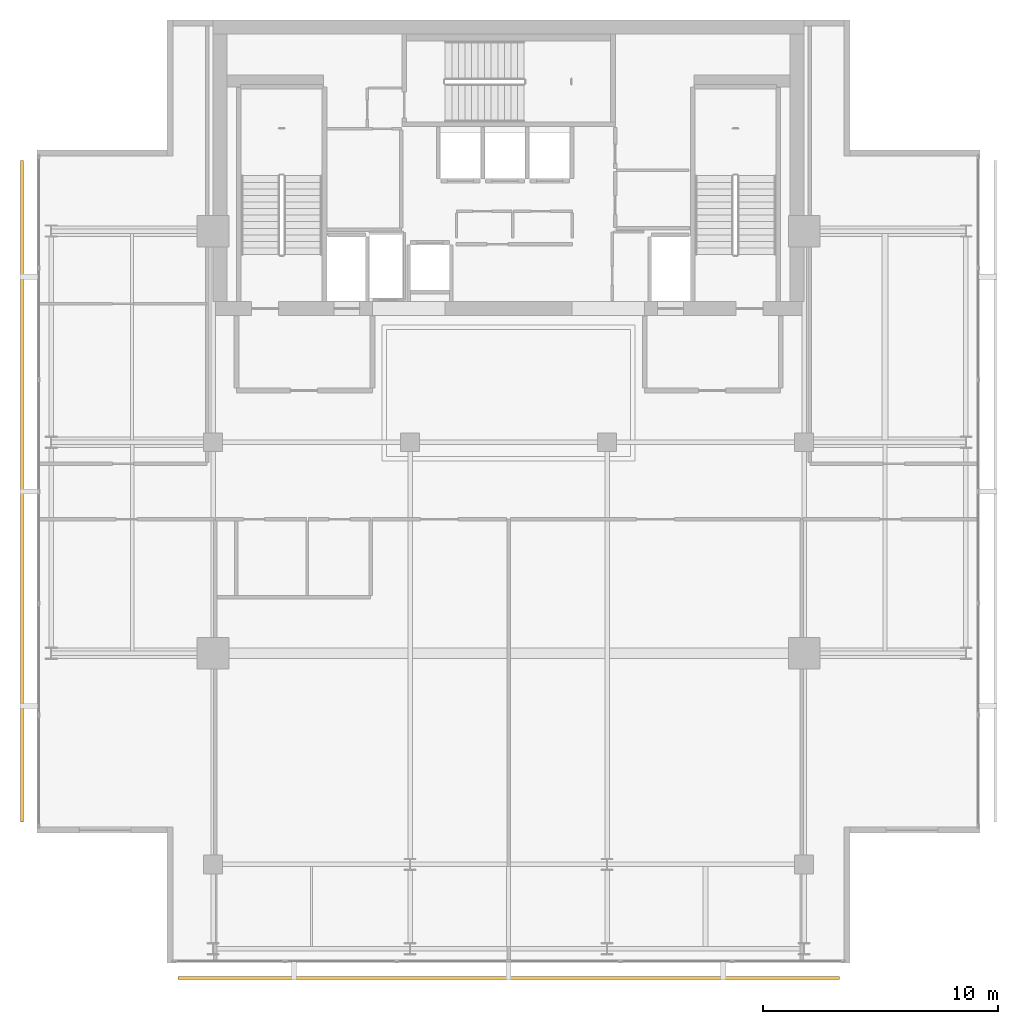
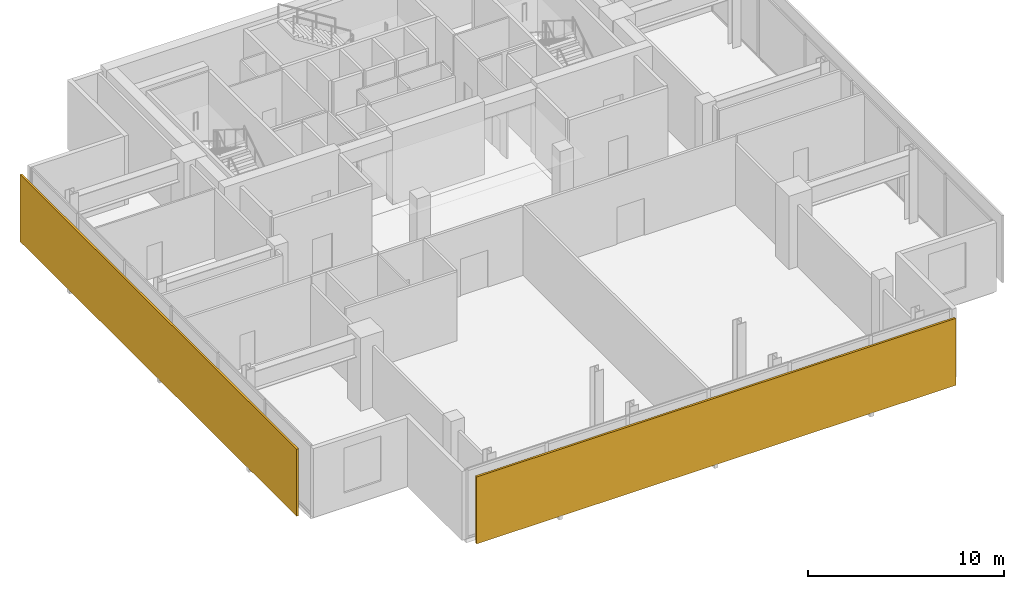
# One storey, part 20 of 23: 2 shading devices.
"""IFC4 building model written with IfcOpenShell, lengths in metres."""

from ifc_helpers import new_model, si_unit, direction, frame, origin, origin_2d, place, context, subcontext, project, spatial, rectangle, extrude, material, layer, layer_set, type_object, element, save


model = new_model("IFC4")

# Units and contexts
model_context = context("Model", 3, precision=1e-05, world=origin(), true_north=direction((0.0, 1.0)))
body_context = subcontext(model_context, "Body", "Model", "MODEL_VIEW")
ifc_project = project(units=[si_unit("LENGTHUNIT", "METRE"), si_unit("AREAUNIT", "SQUARE_METRE"), si_unit("VOLUMEUNIT", "CUBIC_METRE"), si_unit("PLANEANGLEUNIT", "RADIAN"), si_unit("MASSUNIT", "GRAM", prefix="KILO")], contexts=[model_context])

# Site, building, storey
site_placement = place(None, origin())
site = spatial("IfcSite", under=ifc_project, at=site_placement, CompositionType="ELEMENT")
building_placement = place(site_placement, origin())
building = spatial("IfcBuilding", under=site, at=building_placement, Name="Maruvema Waterfront Hotel and Observation Tower", CompositionType="ELEMENT")
storey_placement = place(building_placement, frame((0.0, 0.0, 349.64990234375)))
storey = spatial("IfcBuildingStorey", under=building, at=storey_placement, Name="L86", CompositionType="ELEMENT", Elevation=349.64990234375)

# Shading devices
ifc_material = material(Name="Honed travertine stone and anodised architectural bronze", Category="masonry")
ifc_layer = layer(ifc_material, 0.1201171875, Name="Ventilated Outer Skin Cobogo Stone-and-Bronze Screen 120 mm")
ifc_layer_set = layer_set([ifc_layer], Name="Honed travertine stone and anodised architectural bronze")
shading_device_type = type_object("IfcShadingDeviceType", Name="Ventilated Outer Skin Cobogo Stone-and-Bronze Screen 120 mm", PredefinedType="USERDEFINED", material=ifc_layer_set)
for number, where, z_axis, x_axis, name in (
    (1, (37.800048828125, 13.14990234375, 0.06005859375), (0.0, 0.0, 1.0), (1.0, 0.0, 0.0), "L86 Ventilated Double-Skin Outer Cobogo Screen OS-L86-S"),
    (2, (17.050048828125, 33.89990234375, 0.06005859375), (0.0, 0.0, 1.0), (0.0, -1.0, 0.0), "L86 Ventilated Double-Skin Outer Cobogo Screen OS-L86-W"),
):
    element("IfcShadingDevice", number, at=place(storey_placement, frame(where, z_axis=z_axis, x_axis=x_axis)), inside=storey, type_object=shading_device_type, Name=name, ObjectType="OUTER SKIN SCREEN", PredefinedType="USERDEFINED", context=body_context, shape_type="SweptSolid", body=[
        extrude(rectangle(XDim=28.199951171875, YDim=0.1201171875, at=origin_2d()), origin(), (0.0, 0.0, 1.0), 4.169921875),
    ])

save(model, "model.ifc")
